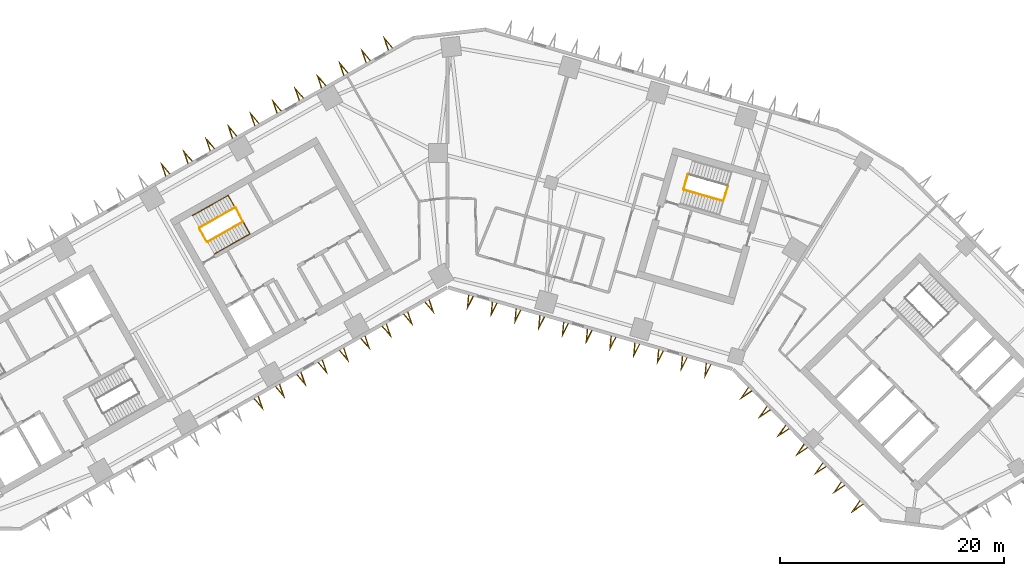
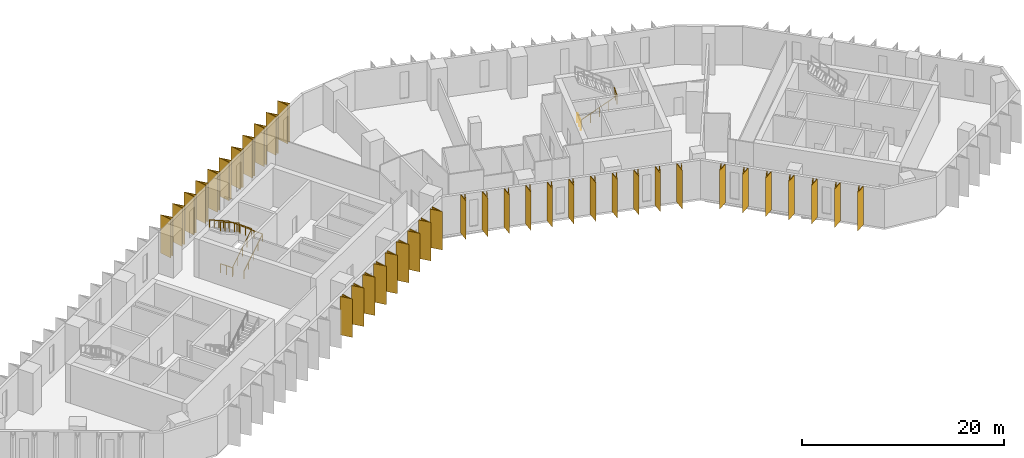
# One storey, part 10 of 11: 38 shading devices, 6 railings.
"""IFC4 building model written with IfcOpenShell, lengths in metres."""

from ifc_helpers import new_model, si_unit, direction, frame, origin, origin_2d, place, context, subcontext, project, spatial, polyline, circle, outline, extrude, material, type_object, element, save


model = new_model("IFC4")

# Units and contexts
model_context = context("Model", 3, precision=1e-05, world=origin(), true_north=direction((0.0, 1.0)))
body_context = subcontext(model_context, "Body", "Model", "MODEL_VIEW")
ifc_project = project(units=[si_unit("LENGTHUNIT", "METRE"), si_unit("AREAUNIT", "SQUARE_METRE"), si_unit("VOLUMEUNIT", "CUBIC_METRE"), si_unit("PLANEANGLEUNIT", "RADIAN"), si_unit("MASSUNIT", "GRAM", prefix="KILO")], contexts=[model_context])

# Site, building, storey
site_placement = place(None, origin())
site = spatial("IfcSite", under=ifc_project, at=site_placement, CompositionType="ELEMENT")
building_placement = place(site_placement, origin())
building = spatial("IfcBuilding", under=site, at=building_placement, Name="Binnacle Exchange Tower", CompositionType="ELEMENT")
storey_placement = place(building_placement, frame((0.0, 0.0, 86.5)))
storey = spatial("IfcBuildingStorey", under=building, at=storey_placement, Name="L17", CompositionType="ELEMENT", Elevation=86.5)

# Railings
ifc_material_1 = material(Name="Steel guard rail", Category="steel")
railing_type_1 = type_object("IfcRailingType", Name="STAIR GUARD 1100", PredefinedType="GUARDRAIL", material=ifc_material_1)
railing_1_placement = place(storey_placement, frame((-21.423828125, 52.07275390625, 0.178466796875)))
element("IfcRailing", 1, at=railing_1_placement, inside=storey, type_object=railing_type_1, Name="L17 STC1 stair guard 1", PredefinedType="GUARDRAIL", context=body_context, shape_type="SweptSolid", body=[
    extrude(circle(Radius=0.02392578125, at=origin_2d()), frame((0.0, 0.0, 1.076171875), z_axis=(0.733838880464, 0.415127627455, 0.537726278364), x_axis=(-0.492371057291, 0.870385398511, 0.0)), (0.0, 0.0, 1.0), 4.3173828125),
    extrude(circle(Radius=0.02392578125, at=origin_2d()), frame((3.168212890625, 1.792236328125, 3.3974609375), z_axis=(-0.461100321709, 0.887348011391, 0.0), x_axis=(-0.887348011391, -0.461100321709, 0.0)), (0.0, 0.0, 1.0), 1.40087890625),
    extrude(circle(Radius=0.02099609375, at=origin_2d()), origin(), (0.0, 0.0, 1.0), 1.052001953125),
    extrude(circle(Radius=0.02099609375, at=origin_2d()), frame((0.7919921875, 0.447998046875, 0.580322265625)), (0.0, 0.0, 1.0), 1.052001953125),
    extrude(circle(Radius=0.02099609375, at=origin_2d()), frame((1.583984375, 0.89599609375, 1.16064453125)), (0.0, 0.0, 1.0), 1.052001953125),
    extrude(circle(Radius=0.02099609375, at=origin_2d()), frame((2.376220703125, 1.34423828125, 1.7412109375)), (0.0, 0.0, 1.0), 1.052001953125),
    extrude(circle(Radius=0.02099609375, at=origin_2d()), frame((3.168212890625, 1.792236328125, 2.321533203125)), (0.0, 0.0, 1.0), 1.052001953125),
    extrude(circle(Radius=0.02099609375, at=origin_2d()), frame((2.84521484375, 2.413818359375, 2.321533203125)), (0.0, 0.0, 1.0), 1.052001953125),
    extrude(circle(Radius=0.02099609375, at=origin_2d()), frame((2.522216796875, 3.035400390625, 2.321533203125)), (0.0, 0.0, 1.0), 1.052001953125),
])
railing_2_placement = place(storey_placement, frame((-18.9697265625, 55.126953125, 2.678466796875)))
element("IfcRailing", 2, at=railing_2_placement, inside=storey, type_object=railing_type_1, Name="L17 STC1 stair guard 2", PredefinedType="GUARDRAIL", context=body_context, shape_type="SweptSolid", body=[
    extrude(circle(Radius=0.02392578125, at=origin_2d()), frame((0.0, 0.0, 1.076171875), z_axis=(-0.733812782489, -0.415144854829, 0.537748593457), x_axis=(0.492399802317, -0.870369137021, 0.0)), (0.0, 0.0, 1.0), 4.317138671875),
    extrude(circle(Radius=0.02099609375, at=origin_2d()), origin(), (0.0, 0.0, 1.0), 1.052001953125),
    extrude(circle(Radius=0.02099609375, at=origin_2d()), frame((-0.7919921875, -0.447998046875, 0.580322265625)), (0.0, 0.0, 1.0), 1.052001953125),
    extrude(circle(Radius=0.02099609375, at=origin_2d()), frame((-1.583984375, -0.89599609375, 1.16064453125)), (0.0, 0.0, 1.0), 1.052001953125),
    extrude(circle(Radius=0.02099609375, at=origin_2d()), frame((-2.3759765625, -1.34423828125, 1.7412109375)), (0.0, 0.0, 1.0), 1.052001953125),
    extrude(circle(Radius=0.02099609375, at=origin_2d()), frame((-3.16796875, -1.792236328125, 2.321533203125)), (0.0, 0.0, 1.0), 1.052001953125),
])
railing_3_placement = place(storey_placement, frame((-21.491943359375, 52.091552734375, 0.0)))
element("IfcRailing", 3, at=railing_3_placement, inside=storey, type_object=railing_type_1, Name="L17 STC1 stair guard 3", PredefinedType="GUARDRAIL", context=body_context, shape_type="SweptSolid", body=[
    extrude(circle(Radius=0.02392578125, at=origin_2d()), frame((0.0, 0.0, 1.076171875), z_axis=(-0.49241474071, 0.870360685654, 0.0), x_axis=(-0.870360685654, -0.49241474071, 0.0)), (0.0, 0.0, 1.0), 1.35009765625),
    extrude(circle(Radius=0.02099609375, at=origin_2d()), origin(), (0.0, 0.0, 1.0), 1.052001953125),
    extrude(circle(Radius=0.02099609375, at=origin_2d()), frame((-0.33251953125, 0.58740234375, 0.0)), (0.0, 0.0, 1.0), 1.052001953125),
    extrude(circle(Radius=0.02099609375, at=origin_2d()), frame((-0.664794921875, 1.175048828125, 0.0)), (0.0, 0.0, 1.0), 1.052001953125),
])
railing_4_placement = place(storey_placement, frame((21.086669921875, 56.71044921875, 0.178466796875)))
element("IfcRailing", 4, at=railing_4_placement, inside=storey, type_object=railing_type_1, Name="L17 STD1 stair guard 1", PredefinedType="GUARDRAIL", context=body_context, shape_type="SweptSolid", body=[
    extrude(circle(Radius=0.02392578125, at=origin_2d()), frame((0.0, 0.0, 1.076171875), z_axis=(0.810455892038, -0.232415135102, 0.537721537635), x_axis=(0.275659984683, 0.961255206927, 0.0)), (0.0, 0.0, 1.0), 4.3173828125),
    extrude(circle(Radius=0.02392578125, at=origin_2d()), frame((3.4990234375, -1.00341796875, 3.3974609375), z_axis=(0.309684985722, 0.950839213337, 0.0), x_axis=(-0.950839213337, 0.309684985722, 0.0)), (0.0, 0.0, 1.0), 1.40087890625),
    extrude(circle(Radius=0.02099609375, at=origin_2d()), origin(), (0.0, 0.0, 1.0), 1.052001953125),
    extrude(circle(Radius=0.02099609375, at=origin_2d()), frame((0.874755859375, -0.2509765625, 0.580322265625)), (0.0, 0.0, 1.0), 1.052001953125),
    extrude(circle(Radius=0.02099609375, at=origin_2d()), frame((1.74951171875, -0.501708984375, 1.16064453125)), (0.0, 0.0, 1.0), 1.052001953125),
    extrude(circle(Radius=0.02099609375, at=origin_2d()), frame((2.624267578125, -0.75244140625, 1.7412109375)), (0.0, 0.0, 1.0), 1.052001953125),
    extrude(circle(Radius=0.02099609375, at=origin_2d()), frame((3.4990234375, -1.00341796875, 2.321533203125)), (0.0, 0.0, 1.0), 1.052001953125),
    extrude(circle(Radius=0.02099609375, at=origin_2d()), frame((3.7158203125, -0.33740234375, 2.321533203125)), (0.0, 0.0, 1.0), 1.052001953125),
    extrude(circle(Radius=0.02099609375, at=origin_2d()), frame((3.932861328125, 0.32861328125, 2.321533203125)), (0.0, 0.0, 1.0), 1.052001953125),
])
railing_5_placement = place(storey_placement, frame((21.05224609375, 56.772216796875, 0.0)))
element("IfcRailing", 5, at=railing_5_placement, inside=storey, type_object=railing_type_1, Name="L17 STD1 stair guard 3", PredefinedType="GUARDRAIL", context=body_context, shape_type="SweptSolid", body=[
    extrude(circle(Radius=0.02392578125, at=origin_2d()), frame((0.0, 0.0, 1.076171875), z_axis=(0.275795817769, 0.961216243569, 0.0), x_axis=(-0.961216243569, 0.275795817769, 0.0)), (0.0, 0.0, 1.0), 1.349853515625),
    extrude(circle(Radius=0.02099609375, at=origin_2d()), origin(), (0.0, 0.0, 1.0), 1.052001953125),
    extrude(circle(Radius=0.02099609375, at=origin_2d()), frame((0.18603515625, 0.64892578125, 0.0)), (0.0, 0.0, 1.0), 1.052001953125),
    extrude(circle(Radius=0.02099609375, at=origin_2d()), frame((0.372314453125, 1.297607421875, 0.0)), (0.0, 0.0, 1.0), 1.052001953125),
])
ifc_material_2 = material(Name="Steel handrail", Category="steel")
railing_type_2 = type_object("IfcRailingType", Name="STAIR HANDRAIL 900", PredefinedType="HANDRAIL", material=ifc_material_2)
railing_6_placement = place(storey_placement, frame((-20.808349609375, 50.984619140625, 0.178466796875)))
element("IfcRailing", 6, at=railing_6_placement, inside=storey, type_object=railing_type_2, Name="L17 STC1 stair handrail 1", PredefinedType="HANDRAIL", context=body_context, shape_type="SweptSolid", body=[
    extrude(circle(Radius=0.02392578125, at=origin_2d()), frame((0.0, 0.0, 0.8759765625), z_axis=(0.733821652932, 0.415174429824, 0.537713654753), x_axis=(-0.492421866095, 0.870356654361, 0.0)), (0.0, 0.0, 1.0), 4.3173828125),
    extrude(circle(Radius=0.02392578125, at=origin_2d()), frame((3.168212890625, 1.79248046875, 3.197265625), z_axis=(-0.491911810019, 0.86947434526, 0.045134621956), x_axis=(-0.870361318571, -0.492413622004, 0.0)), (0.0, 0.0, 1.0), 3.9541015625),
    extrude(circle(Radius=0.02392578125, at=origin_2d()), frame((1.22314453125, 5.23046875, 3.3759765625), z_axis=(-0.733821652932, -0.415174429824, 0.537713654753), x_axis=(0.492421866095, -0.870356654361, 0.0)), (0.0, 0.0, 1.0), 4.3173828125),
    extrude(circle(Radius=0.02099609375, at=origin_2d()), origin(), (0.0, 0.0, 1.0), 0.851806640625),
    extrude(circle(Radius=0.02099609375, at=origin_2d()), frame((0.7919921875, 0.4482421875, 0.580322265625)), (0.0, 0.0, 1.0), 0.851806640625),
    extrude(circle(Radius=0.02099609375, at=origin_2d()), frame((1.583984375, 0.896240234375, 1.16064453125)), (0.0, 0.0, 1.0), 0.851806640625),
    extrude(circle(Radius=0.02099609375, at=origin_2d()), frame((2.376220703125, 1.34423828125, 1.7412109375)), (0.0, 0.0, 1.0), 0.851806640625),
    extrude(circle(Radius=0.02099609375, at=origin_2d()), frame((3.168212890625, 1.79248046875, 2.321533203125)), (0.0, 0.0, 1.0), 0.851806640625),
    extrude(circle(Radius=0.02099609375, at=origin_2d()), frame((2.681884765625, 2.65185546875, 2.3662109375)), (0.0, 0.0, 1.0), 0.851806640625),
    extrude(circle(Radius=0.02099609375, at=origin_2d()), frame((2.19580078125, 3.511474609375, 2.41064453125)), (0.0, 0.0, 1.0), 0.851806640625),
    extrude(circle(Radius=0.02099609375, at=origin_2d()), frame((1.70947265625, 4.37109375, 2.455322265625)), (0.0, 0.0, 1.0), 0.851806640625),
    extrude(circle(Radius=0.02099609375, at=origin_2d()), frame((1.22314453125, 5.23046875, 2.5)), (0.0, 0.0, 1.0), 0.851806640625),
    extrude(circle(Radius=0.02099609375, at=origin_2d()), frame((0.43115234375, 4.7822265625, 3.080322265625)), (0.0, 0.0, 1.0), 0.851806640625),
    extrude(circle(Radius=0.02099609375, at=origin_2d()), frame((-0.36083984375, 4.334228515625, 3.66064453125)), (0.0, 0.0, 1.0), 0.851806640625),
    extrude(circle(Radius=0.02099609375, at=origin_2d()), frame((-1.153076171875, 3.88623046875, 4.2412109375)), (0.0, 0.0, 1.0), 0.851806640625),
    extrude(circle(Radius=0.02099609375, at=origin_2d()), frame((-1.945068359375, 3.43798828125, 4.821533203125)), (0.0, 0.0, 1.0), 0.851806640625),
])

# Shading devices
ifc_material_3 = material(Name="Bronze aluminium cladding", Category="aluminium")
shading_device_type = type_object("IfcShadingDeviceType", Name="V FIN 1300 DEEP x 4650 HIGH", PredefinedType="USERDEFINED", material=ifc_material_3)
shading_device_1_placement = place(storey_placement, origin())
element("IfcShadingDevice", 7, at=shading_device_1_placement, inside=storey, type_object=shading_device_type, Name="V fin FN-F03-01 L17", ObjectType="FIN", PredefinedType="USERDEFINED", context=body_context, shape_type="SweptSolid", body=[
    extrude(outline(polyline([(-4.88916015625, 69.40625), (-5.746826171875, 70.41455078125), (-5.32421875, 69.159912109375), (-5.25341796875, 69.2001953125), (-5.5380859375, 70.0458984375), (-4.9599609375, 69.3662109375), (-4.88916015625, 69.40625)])), origin(), (0.0, 0.0, 1.0), 4.64990234375),
])
shading_device_2_placement = place(storey_placement, origin())
element("IfcShadingDevice", 8, at=shading_device_2_placement, inside=storey, type_object=shading_device_type, Name="V fin FN-F03-02 L17", ObjectType="FIN", PredefinedType="USERDEFINED", context=body_context, shape_type="SweptSolid", body=[
    extrude(outline(polyline([(-6.87548828125, 68.2822265625), (-7.7333984375, 69.290771484375), (-7.310791015625, 68.0361328125), (-7.239990234375, 68.076171875), (-7.524658203125, 68.922119140625), (-6.946533203125, 68.2421875), (-6.87548828125, 68.2822265625)])), origin(), (0.0, 0.0, 1.0), 4.64990234375),
])
shading_device_3_placement = place(storey_placement, origin())
element("IfcShadingDevice", 9, at=shading_device_3_placement, inside=storey, type_object=shading_device_type, Name="V fin FN-F03-03 L17", ObjectType="FIN", PredefinedType="USERDEFINED", context=body_context, shape_type="SweptSolid", body=[
    extrude(outline(polyline([(-8.862060546875, 67.158203125), (-9.719970703125, 68.166748046875), (-9.29736328125, 66.912109375), (-9.226318359375, 66.9521484375), (-9.51123046875, 67.798095703125), (-8.93310546875, 67.1181640625), (-8.862060546875, 67.158203125)])), origin(), (0.0, 0.0, 1.0), 4.64990234375),
])
shading_device_4_placement = place(storey_placement, origin())
element("IfcShadingDevice", 10, at=shading_device_4_placement, inside=storey, type_object=shading_device_type, Name="V fin FN-F03-04 L17", ObjectType="FIN", PredefinedType="USERDEFINED", context=body_context, shape_type="SweptSolid", body=[
    extrude(outline(polyline([(-10.8486328125, 66.034423828125), (-11.70654296875, 67.042724609375), (-11.283935546875, 65.7880859375), (-11.212890625, 65.828369140625), (-11.497802734375, 66.674072265625), (-10.919677734375, 65.994384765625), (-10.8486328125, 66.034423828125)])), origin(), (0.0, 0.0, 1.0), 4.64990234375),
])
shading_device_5_placement = place(storey_placement, origin())
element("IfcShadingDevice", 11, at=shading_device_5_placement, inside=storey, type_object=shading_device_type, Name="V fin FN-F03-05 L17", ObjectType="FIN", PredefinedType="USERDEFINED", context=body_context, shape_type="SweptSolid", body=[
    extrude(outline(polyline([(-12.835205078125, 64.910400390625), (-13.693115234375, 65.9189453125), (-13.2705078125, 64.664306640625), (-13.199462890625, 64.704345703125), (-13.484375, 65.55029296875), (-12.906005859375, 64.870361328125), (-12.835205078125, 64.910400390625)])), origin(), (0.0, 0.0, 1.0), 4.64990234375),
])
shading_device_6_placement = place(storey_placement, origin())
element("IfcShadingDevice", 12, at=shading_device_6_placement, inside=storey, type_object=shading_device_type, Name="V fin FN-F03-06 L17", ObjectType="FIN", PredefinedType="USERDEFINED", context=body_context, shape_type="SweptSolid", body=[
    extrude(outline(polyline([(-14.82177734375, 63.78662109375), (-15.6796875, 64.794921875), (-15.257080078125, 63.540283203125), (-15.18603515625, 63.580322265625), (-15.470947265625, 64.42626953125), (-14.892578125, 63.746337890625), (-14.82177734375, 63.78662109375)])), origin(), (0.0, 0.0, 1.0), 4.64990234375),
])
shading_device_7_placement = place(storey_placement, origin())
element("IfcShadingDevice", 13, at=shading_device_7_placement, inside=storey, type_object=shading_device_type, Name="V fin FN-F03-07 L17", ObjectType="FIN", PredefinedType="USERDEFINED", context=body_context, shape_type="SweptSolid", body=[
    extrude(outline(polyline([(-16.808349609375, 62.66259765625), (-17.666015625, 63.6708984375), (-17.243408203125, 62.41650390625), (-17.172607421875, 62.45654296875), (-17.45751953125, 63.30224609375), (-16.879150390625, 62.62255859375), (-16.808349609375, 62.66259765625)])), origin(), (0.0, 0.0, 1.0), 4.64990234375),
])
shading_device_8_placement = place(storey_placement, origin())
element("IfcShadingDevice", 14, at=shading_device_8_placement, inside=storey, type_object=shading_device_type, Name="V fin FN-F03-08 L17", ObjectType="FIN", PredefinedType="USERDEFINED", context=body_context, shape_type="SweptSolid", body=[
    extrude(outline(polyline([(-18.794921875, 61.53857421875), (-19.652587890625, 62.547119140625), (-19.22998046875, 61.29248046875), (-19.1591796875, 61.33251953125), (-19.444091796875, 62.17822265625), (-18.86572265625, 61.49853515625), (-18.794921875, 61.53857421875)])), origin(), (0.0, 0.0, 1.0), 4.64990234375),
])
shading_device_9_placement = place(storey_placement, origin())
element("IfcShadingDevice", 15, at=shading_device_9_placement, inside=storey, type_object=shading_device_type, Name="V fin FN-F03-09 L17", ObjectType="FIN", PredefinedType="USERDEFINED", context=body_context, shape_type="SweptSolid", body=[
    extrude(outline(polyline([(-20.781494140625, 60.414794921875), (-21.639404296875, 61.423095703125), (-21.216796875, 60.16845703125), (-21.145751953125, 60.20849609375), (-21.4306640625, 61.054443359375), (-20.852294921875, 60.37451171875), (-20.781494140625, 60.414794921875)])), origin(), (0.0, 0.0, 1.0), 4.64990234375),
])
shading_device_10_placement = place(storey_placement, origin())
element("IfcShadingDevice", 16, at=shading_device_10_placement, inside=storey, type_object=shading_device_type, Name="V fin FN-F03-10 L17", ObjectType="FIN", PredefinedType="USERDEFINED", context=body_context, shape_type="SweptSolid", body=[
    extrude(outline(polyline([(-22.76806640625, 59.290771484375), (-23.625732421875, 60.29931640625), (-23.203125, 59.044677734375), (-23.13232421875, 59.084716796875), (-23.4169921875, 59.930419921875), (-22.8388671875, 59.250732421875), (-22.76806640625, 59.290771484375)])), origin(), (0.0, 0.0, 1.0), 4.64990234375),
])
shading_device_11_placement = place(storey_placement, origin())
element("IfcShadingDevice", 17, at=shading_device_11_placement, inside=storey, type_object=shading_device_type, Name="V fin FN-F03-11 L17", ObjectType="FIN", PredefinedType="USERDEFINED", context=body_context, shape_type="SweptSolid", body=[
    extrude(outline(polyline([(-24.754638671875, 58.166748046875), (-25.6123046875, 59.17529296875), (-25.189697265625, 57.920654296875), (-25.118896484375, 57.960693359375), (-25.40380859375, 58.806396484375), (-24.825439453125, 58.126708984375), (-24.754638671875, 58.166748046875)])), origin(), (0.0, 0.0, 1.0), 4.64990234375),
])
shading_device_12_placement = place(storey_placement, origin())
element("IfcShadingDevice", 18, at=shading_device_12_placement, inside=storey, type_object=shading_device_type, Name="V fin FN-F07-11 L17", ObjectType="FIN", PredefinedType="USERDEFINED", context=body_context, shape_type="SweptSolid", body=[
    extrude(outline(polyline([(-17.28759765625, 38.046875), (-16.429931640625, 37.038330078125), (-16.8525390625, 38.29296875), (-16.92333984375, 38.2529296875), (-16.638671875, 37.406982421875), (-17.216796875, 38.0869140625), (-17.28759765625, 38.046875)])), origin(), (0.0, 0.0, 1.0), 4.64990234375),
])
shading_device_13_placement = place(storey_placement, origin())
element("IfcShadingDevice", 19, at=shading_device_13_placement, inside=storey, type_object=shading_device_type, Name="V fin FN-F07-12 L17", ObjectType="FIN", PredefinedType="USERDEFINED", context=body_context, shape_type="SweptSolid", body=[
    extrude(outline(polyline([(-15.3828125, 39.12451171875), (-14.525146484375, 38.1162109375), (-14.94775390625, 39.37060546875), (-15.0185546875, 39.33056640625), (-14.73388671875, 38.48486328125), (-15.31201171875, 39.16455078125), (-15.3828125, 39.12451171875)])), origin(), (0.0, 0.0, 1.0), 4.64990234375),
])
shading_device_14_placement = place(storey_placement, origin())
element("IfcShadingDevice", 20, at=shading_device_14_placement, inside=storey, type_object=shading_device_type, Name="V fin FN-F07-13 L17", ObjectType="FIN", PredefinedType="USERDEFINED", context=body_context, shape_type="SweptSolid", body=[
    extrude(outline(polyline([(-13.477783203125, 40.2021484375), (-12.6201171875, 39.19384765625), (-13.042724609375, 40.448486328125), (-13.113525390625, 40.408203125), (-12.828857421875, 39.5625), (-13.406982421875, 40.2421875), (-13.477783203125, 40.2021484375)])), origin(), (0.0, 0.0, 1.0), 4.64990234375),
])
shading_device_15_placement = place(storey_placement, origin())
element("IfcShadingDevice", 21, at=shading_device_15_placement, inside=storey, type_object=shading_device_type, Name="V fin FN-F07-14 L17", ObjectType="FIN", PredefinedType="USERDEFINED", context=body_context, shape_type="SweptSolid", body=[
    extrude(outline(polyline([(-11.572998046875, 41.280029296875), (-10.715087890625, 40.271484375), (-11.1376953125, 41.526123046875), (-11.208740234375, 41.486083984375), (-10.923828125, 40.640380859375), (-11.502197265625, 41.320068359375), (-11.572998046875, 41.280029296875)])), origin(), (0.0, 0.0, 1.0), 4.64990234375),
])
shading_device_16_placement = place(storey_placement, origin())
element("IfcShadingDevice", 22, at=shading_device_16_placement, inside=storey, type_object=shading_device_type, Name="V fin FN-F07-15 L17", ObjectType="FIN", PredefinedType="USERDEFINED", context=body_context, shape_type="SweptSolid", body=[
    extrude(outline(polyline([(-9.668212890625, 42.357666015625), (-8.810302734375, 41.349365234375), (-9.23291015625, 42.60400390625), (-9.303955078125, 42.563720703125), (-9.01904296875, 41.718017578125), (-9.597412109375, 42.397705078125), (-9.668212890625, 42.357666015625)])), origin(), (0.0, 0.0, 1.0), 4.64990234375),
])
shading_device_17_placement = place(storey_placement, origin())
element("IfcShadingDevice", 23, at=shading_device_17_placement, inside=storey, type_object=shading_device_type, Name="V fin FN-F07-16 L17", ObjectType="FIN", PredefinedType="USERDEFINED", context=body_context, shape_type="SweptSolid", body=[
    extrude(outline(polyline([(-7.76318359375, 43.435302734375), (-6.905517578125, 42.427001953125), (-7.327880859375, 43.681640625), (-7.39892578125, 43.6416015625), (-7.114013671875, 42.795654296875), (-7.6923828125, 43.4755859375), (-7.76318359375, 43.435302734375)])), origin(), (0.0, 0.0, 1.0), 4.64990234375),
])
shading_device_18_placement = place(storey_placement, origin())
element("IfcShadingDevice", 24, at=shading_device_18_placement, inside=storey, type_object=shading_device_type, Name="V fin FN-F07-17 L17", ObjectType="FIN", PredefinedType="USERDEFINED", context=body_context, shape_type="SweptSolid", body=[
    extrude(outline(polyline([(-5.8583984375, 44.51318359375), (-5.00048828125, 43.5048828125), (-5.423095703125, 44.759521484375), (-5.494140625, 44.71923828125), (-5.209228515625, 43.87353515625), (-5.78759765625, 44.55322265625), (-5.8583984375, 44.51318359375)])), origin(), (0.0, 0.0, 1.0), 4.64990234375),
])
shading_device_19_placement = place(storey_placement, origin())
element("IfcShadingDevice", 25, at=shading_device_19_placement, inside=storey, type_object=shading_device_type, Name="V fin FN-F07-18 L17", ObjectType="FIN", PredefinedType="USERDEFINED", context=body_context, shape_type="SweptSolid", body=[
    extrude(outline(polyline([(-3.95361328125, 45.5908203125), (-3.095703125, 44.58251953125), (-3.518310546875, 45.837158203125), (-3.589111328125, 45.797119140625), (-3.304443359375, 44.951171875), (-3.882568359375, 45.631103515625), (-3.95361328125, 45.5908203125)])), origin(), (0.0, 0.0, 1.0), 4.64990234375),
])
shading_device_20_placement = place(storey_placement, origin())
element("IfcShadingDevice", 26, at=shading_device_20_placement, inside=storey, type_object=shading_device_type, Name="V fin FN-F07-19 L17", ObjectType="FIN", PredefinedType="USERDEFINED", context=body_context, shape_type="SweptSolid", body=[
    extrude(outline(polyline([(-2.048583984375, 46.668701171875), (-1.19091796875, 45.660400390625), (-1.61328125, 46.914794921875), (-1.684326171875, 46.874755859375), (-1.3994140625, 46.029052734375), (-1.977783203125, 46.708740234375), (-2.048583984375, 46.668701171875)])), origin(), (0.0, 0.0, 1.0), 4.64990234375),
])
shading_device_21_placement = place(storey_placement, origin())
element("IfcShadingDevice", 27, at=shading_device_21_placement, inside=storey, type_object=shading_device_type, Name="V fin FN-F08-01 L17", ObjectType="FIN", PredefinedType="USERDEFINED", context=body_context, shape_type="SweptSolid", body=[
    extrude(outline(polyline([(1.837890625, 47.31689453125), (1.719970703125, 45.998291015625), (2.318603515625, 47.17919921875), (2.240234375, 47.201416015625), (1.836669921875, 46.405517578125), (1.916259765625, 47.29443359375), (1.837890625, 47.31689453125)])), origin(), (0.0, 0.0, 1.0), 4.64990234375),
])
shading_device_22_placement = place(storey_placement, origin())
element("IfcShadingDevice", 28, at=shading_device_22_placement, inside=storey, type_object=shading_device_type, Name="V fin FN-F08-02 L17", ObjectType="FIN", PredefinedType="USERDEFINED", context=body_context, shape_type="SweptSolid", body=[
    extrude(outline(polyline([(3.957763671875, 46.708984375), (3.839599609375, 45.390625), (4.438232421875, 46.5712890625), (4.360107421875, 46.59375), (3.956298828125, 45.7978515625), (4.035888671875, 46.686767578125), (3.957763671875, 46.708984375)])), origin(), (0.0, 0.0, 1.0), 4.64990234375),
])
shading_device_23_placement = place(storey_placement, origin())
element("IfcShadingDevice", 29, at=shading_device_23_placement, inside=storey, type_object=shading_device_type, Name="V fin FN-F08-03 L17", ObjectType="FIN", PredefinedType="USERDEFINED", context=body_context, shape_type="SweptSolid", body=[
    extrude(outline(polyline([(6.077392578125, 46.101318359375), (5.95947265625, 44.78271484375), (6.55810546875, 45.96337890625), (6.479736328125, 45.98583984375), (6.076171875, 45.18994140625), (6.15576171875, 46.078857421875), (6.077392578125, 46.101318359375)])), origin(), (0.0, 0.0, 1.0), 4.64990234375),
])
shading_device_24_placement = place(storey_placement, origin())
element("IfcShadingDevice", 30, at=shading_device_24_placement, inside=storey, type_object=shading_device_type, Name="V fin FN-F08-04 L17", ObjectType="FIN", PredefinedType="USERDEFINED", context=body_context, shape_type="SweptSolid", body=[
    extrude(outline(polyline([(8.197021484375, 45.493408203125), (8.0791015625, 44.175048828125), (8.677734375, 45.355712890625), (8.599365234375, 45.378173828125), (8.19580078125, 44.582275390625), (8.275390625, 45.47119140625), (8.197021484375, 45.493408203125)])), origin(), (0.0, 0.0, 1.0), 4.64990234375),
])
shading_device_25_placement = place(storey_placement, origin())
element("IfcShadingDevice", 31, at=shading_device_25_placement, inside=storey, type_object=shading_device_type, Name="V fin FN-F08-05 L17", ObjectType="FIN", PredefinedType="USERDEFINED", context=body_context, shape_type="SweptSolid", body=[
    extrude(outline(polyline([(10.316650390625, 44.8857421875), (10.19873046875, 43.567138671875), (10.79736328125, 44.747802734375), (10.718994140625, 44.770263671875), (10.3154296875, 43.974365234375), (10.39501953125, 44.86328125), (10.316650390625, 44.8857421875)])), origin(), (0.0, 0.0, 1.0), 4.64990234375),
])
shading_device_26_placement = place(storey_placement, origin())
element("IfcShadingDevice", 32, at=shading_device_26_placement, inside=storey, type_object=shading_device_type, Name="V fin FN-F08-06 L17", ObjectType="FIN", PredefinedType="USERDEFINED", context=body_context, shape_type="SweptSolid", body=[
    extrude(outline(polyline([(12.436279296875, 44.27783203125), (12.318359375, 42.95947265625), (12.9169921875, 44.14013671875), (12.838623046875, 44.16259765625), (12.43505859375, 43.36669921875), (12.5146484375, 44.255615234375), (12.436279296875, 44.27783203125)])), origin(), (0.0, 0.0, 1.0), 4.64990234375),
])
shading_device_27_placement = place(storey_placement, origin())
element("IfcShadingDevice", 33, at=shading_device_27_placement, inside=storey, type_object=shading_device_type, Name="V fin FN-F08-07 L17", ObjectType="FIN", PredefinedType="USERDEFINED", context=body_context, shape_type="SweptSolid", body=[
    extrude(outline(polyline([(14.55615234375, 43.670166015625), (14.43798828125, 42.3515625), (15.03662109375, 43.5322265625), (14.95849609375, 43.5546875), (14.5546875, 42.7587890625), (14.634521484375, 43.647705078125), (14.55615234375, 43.670166015625)])), origin(), (0.0, 0.0, 1.0), 4.64990234375),
])
shading_device_28_placement = place(storey_placement, origin())
element("IfcShadingDevice", 34, at=shading_device_28_placement, inside=storey, type_object=shading_device_type, Name="V fin FN-F08-08 L17", ObjectType="FIN", PredefinedType="USERDEFINED", context=body_context, shape_type="SweptSolid", body=[
    extrude(outline(polyline([(16.67578125, 43.062255859375), (16.557861328125, 41.743896484375), (17.156494140625, 42.924560546875), (17.078125, 42.947021484375), (16.674560546875, 42.15087890625), (16.754150390625, 43.039794921875), (16.67578125, 43.062255859375)])), origin(), (0.0, 0.0, 1.0), 4.64990234375),
])
shading_device_29_placement = place(storey_placement, origin())
element("IfcShadingDevice", 35, at=shading_device_29_placement, inside=storey, type_object=shading_device_type, Name="V fin FN-F08-09 L17", ObjectType="FIN", PredefinedType="USERDEFINED", context=body_context, shape_type="SweptSolid", body=[
    extrude(outline(polyline([(18.79541015625, 42.454345703125), (18.677490234375, 41.135986328125), (19.276123046875, 42.316650390625), (19.19775390625, 42.339111328125), (18.794189453125, 41.543212890625), (18.873779296875, 42.431884765625), (18.79541015625, 42.454345703125)])), origin(), (0.0, 0.0, 1.0), 4.64990234375),
])
shading_device_30_placement = place(storey_placement, origin())
element("IfcShadingDevice", 36, at=shading_device_30_placement, inside=storey, type_object=shading_device_type, Name="V fin FN-F08-10 L17", ObjectType="FIN", PredefinedType="USERDEFINED", context=body_context, shape_type="SweptSolid", body=[
    extrude(outline(polyline([(20.9150390625, 41.8466796875), (20.797119140625, 40.528076171875), (21.395751953125, 41.708740234375), (21.3173828125, 41.731201171875), (20.913818359375, 40.935302734375), (20.993408203125, 41.82421875), (20.9150390625, 41.8466796875)])), origin(), (0.0, 0.0, 1.0), 4.64990234375),
])
shading_device_31_placement = place(storey_placement, origin())
element("IfcShadingDevice", 37, at=shading_device_31_placement, inside=storey, type_object=shading_device_type, Name="V fin FN-F08-11 L17", ObjectType="FIN", PredefinedType="USERDEFINED", context=body_context, shape_type="SweptSolid", body=[
    extrude(outline(polyline([(23.034912109375, 41.23876953125), (22.916748046875, 39.92041015625), (23.515380859375, 41.10107421875), (23.43701171875, 41.123291015625), (23.033447265625, 40.327392578125), (23.113037109375, 41.21630859375), (23.034912109375, 41.23876953125)])), origin(), (0.0, 0.0, 1.0), 4.64990234375),
])
shading_device_32_placement = place(storey_placement, origin())
element("IfcShadingDevice", 38, at=shading_device_32_placement, inside=storey, type_object=shading_device_type, Name="V fin FN-F09-01 L17", ObjectType="FIN", PredefinedType="USERDEFINED", context=body_context, shape_type="SweptSolid", body=[
    extrude(outline(polyline([(26.810791015625, 39.093505859375), (26.05859375, 38.00390625), (27.1611328125, 38.73681640625), (27.10400390625, 38.794921875), (26.36083984375, 38.30078125), (26.867919921875, 39.035400390625), (26.810791015625, 39.093505859375)])), origin(), (0.0, 0.0, 1.0), 4.64990234375),
])
shading_device_33_placement = place(storey_placement, origin())
element("IfcShadingDevice", 39, at=shading_device_33_placement, inside=storey, type_object=shading_device_type, Name="V fin FN-F09-02 L17", ObjectType="FIN", PredefinedType="USERDEFINED", context=body_context, shape_type="SweptSolid", body=[
    extrude(outline(polyline([(28.467529296875, 37.407470703125), (27.715576171875, 36.31787109375), (28.818115234375, 37.05078125), (28.760986328125, 37.10888671875), (28.017578125, 36.61474609375), (28.524658203125, 37.349365234375), (28.467529296875, 37.407470703125)])), origin(), (0.0, 0.0, 1.0), 4.64990234375),
])
shading_device_34_placement = place(storey_placement, origin())
element("IfcShadingDevice", 40, at=shading_device_34_placement, inside=storey, type_object=shading_device_type, Name="V fin FN-F09-03 L17", ObjectType="FIN", PredefinedType="USERDEFINED", context=body_context, shape_type="SweptSolid", body=[
    extrude(outline(polyline([(30.12451171875, 35.721435546875), (29.372314453125, 34.632080078125), (30.474853515625, 35.364990234375), (30.417724609375, 35.423095703125), (29.674560546875, 34.928955078125), (30.181396484375, 35.663330078125), (30.12451171875, 35.721435546875)])), origin(), (0.0, 0.0, 1.0), 4.64990234375),
])
shading_device_35_placement = place(storey_placement, origin())
element("IfcShadingDevice", 41, at=shading_device_35_placement, inside=storey, type_object=shading_device_type, Name="V fin FN-F09-04 L17", ObjectType="FIN", PredefinedType="USERDEFINED", context=body_context, shape_type="SweptSolid", body=[
    extrude(outline(polyline([(31.78125, 34.035400390625), (31.029296875, 32.94580078125), (32.131591796875, 33.6787109375), (32.07470703125, 33.73681640625), (31.331298828125, 33.242919921875), (31.83837890625, 33.977294921875), (31.78125, 34.035400390625)])), origin(), (0.0, 0.0, 1.0), 4.64990234375),
])
shading_device_36_placement = place(storey_placement, origin())
element("IfcShadingDevice", 42, at=shading_device_36_placement, inside=storey, type_object=shading_device_type, Name="V fin FN-F09-05 L17", ObjectType="FIN", PredefinedType="USERDEFINED", context=body_context, shape_type="SweptSolid", body=[
    extrude(outline(polyline([(33.43798828125, 32.349365234375), (32.68603515625, 31.260009765625), (33.78857421875, 31.992919921875), (33.7314453125, 32.05078125), (32.98828125, 31.556884765625), (33.4951171875, 32.291259765625), (33.43798828125, 32.349365234375)])), origin(), (0.0, 0.0, 1.0), 4.64990234375),
])
shading_device_37_placement = place(storey_placement, origin())
element("IfcShadingDevice", 43, at=shading_device_37_placement, inside=storey, type_object=shading_device_type, Name="V fin FN-F09-06 L17", ObjectType="FIN", PredefinedType="USERDEFINED", context=body_context, shape_type="SweptSolid", body=[
    extrude(outline(polyline([(35.094970703125, 30.663330078125), (34.343017578125, 29.573974609375), (35.4453125, 30.306884765625), (35.38818359375, 30.364990234375), (34.64501953125, 29.870849609375), (35.152099609375, 30.605224609375), (35.094970703125, 30.663330078125)])), origin(), (0.0, 0.0, 1.0), 4.64990234375),
])
shading_device_38_placement = place(storey_placement, origin())
element("IfcShadingDevice", 44, at=shading_device_38_placement, inside=storey, type_object=shading_device_type, Name="V fin FN-F09-07 L17", ObjectType="FIN", PredefinedType="USERDEFINED", context=body_context, shape_type="SweptSolid", body=[
    extrude(outline(polyline([(36.751708984375, 28.977294921875), (35.999755859375, 27.887939453125), (37.102294921875, 28.620849609375), (37.045166015625, 28.678955078125), (36.302001953125, 28.184814453125), (36.808837890625, 28.919189453125), (36.751708984375, 28.977294921875)])), origin(), (0.0, 0.0, 1.0), 4.64990234375),
])

save(model, "model.ifc")
